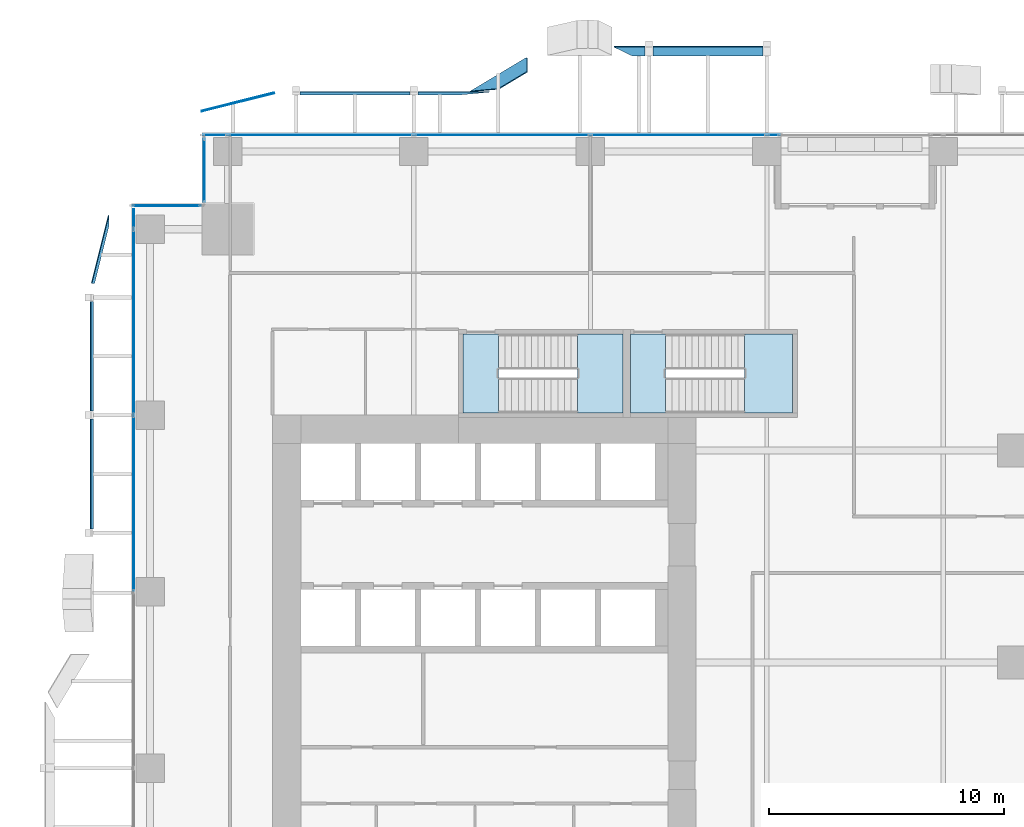
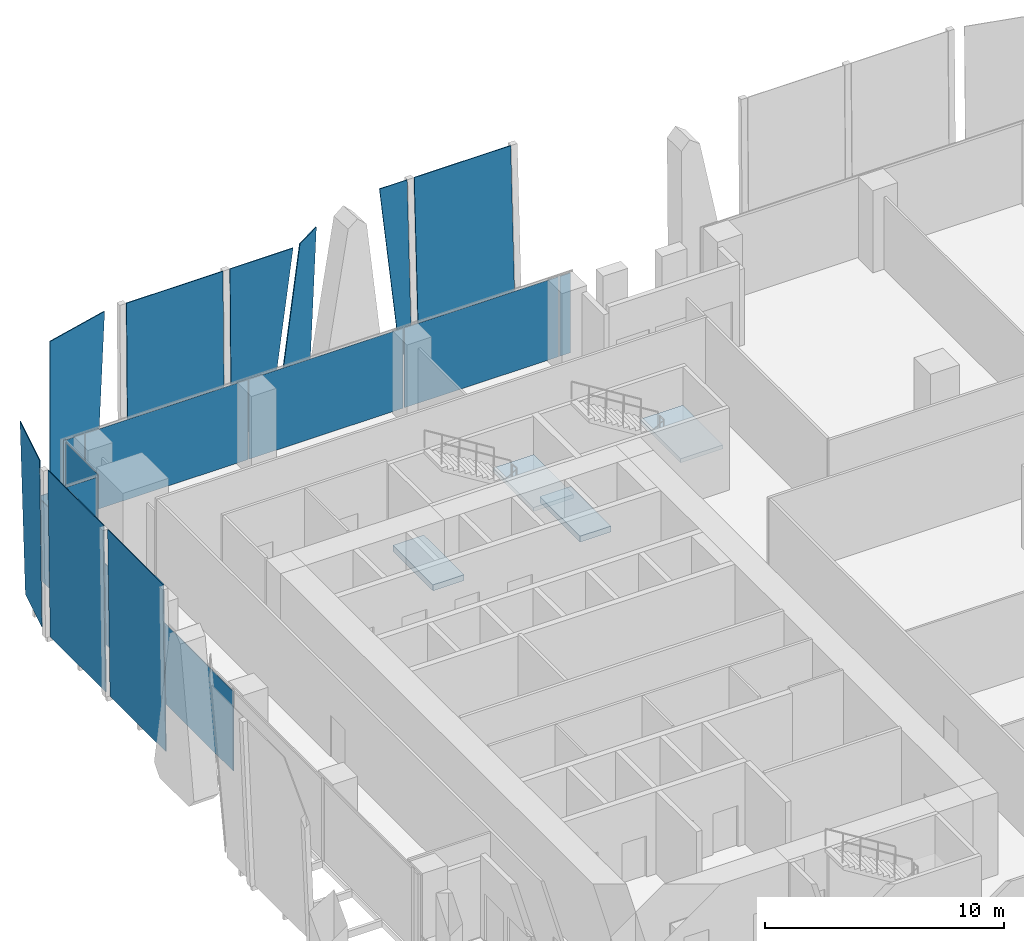
# One storey, part 25 of 35: 19 plates, 4 slabs, 6 elements without a shape of their own.
"""IFC4 building model written with IfcOpenShell, lengths in metres."""

from ifc_helpers import new_model, si_unit, direction, frame, origin, origin_2d, place, context, subcontext, project, spatial, polyline, rectangle, outline, extrude, source, transform, mapped, material, layer, layer_set, type_object, element, aggregate, save


model = new_model("IFC4")

# Units and contexts
model_context = context("Model", 3, precision=1e-05, world=origin(), true_north=direction((0.0, 1.0)))
body_context = subcontext(model_context, "Body", "Model", "MODEL_VIEW")
ifc_project = project(units=[si_unit("LENGTHUNIT", "METRE"), si_unit("AREAUNIT", "SQUARE_METRE"), si_unit("VOLUMEUNIT", "CUBIC_METRE"), si_unit("PLANEANGLEUNIT", "RADIAN"), si_unit("MASSUNIT", "GRAM", prefix="KILO")], contexts=[model_context])

# Site, building, storey
site_placement = place(None, origin())
site = spatial("IfcSite", under=ifc_project, at=site_placement, CompositionType="ELEMENT")
building_placement = place(site_placement, origin())
building = spatial("IfcBuilding", under=site, at=building_placement, Name="Khomas Fold Tower", CompositionType="ELEMENT")
storey_placement = place(building_placement, frame((0.0, 0.0, 87.0)))
storey = spatial("IfcBuildingStorey", under=building, at=storey_placement, Name="L18", CompositionType="ELEMENT", Elevation=87.0)

# Plates
ifc_material_1 = material(Name="Clear laminated glass", Category="glass")
ifc_layer_1 = layer(ifc_material_1, 0.0400390625)
ifc_layer_set_1 = layer_set([ifc_layer_1], Name="Clear laminated glass")
plate_type_1 = type_object("IfcPlateType", Name="SK-Clear laminated glass leaf", PredefinedType="SHEET", material=ifc_layer_set_1)
plate_1_placement = place(storey_placement, frame((6.077392578125, 55.71044921875, 8.550048828125), z_axis=(-0.242525890305, 0.970144933771, 3.190864e-06), x_axis=(-0.052490685981, -0.013118827627, -0.998535239362)))
element("IfcPlate", 1, at=plate_1_placement, inside=storey, type_object=plate_type_1, Name="OUTER SKIN glass L18 NG098-1", PredefinedType="SHEET", context=body_context, shape_type="SweptSolid", body=[
    extrude(outline(polyline([(0.0, 0.0), (8.56259097443413, 5.551115123125783e-17), (8.709696278330705, 2.7148915955346533), (0.1721712251855478, 3.1774939404229476), (0.0, 0.0)])), origin(), (0.0, 0.0, -1.0), 0.0400390625),
])
plate_2_placement = place(storey_placement, frame((7.169921875, 55.609375, 0.0), z_axis=(0.0, -0.999913371991, 0.013162390123), x_axis=(0.0, 0.013162390123, 0.999913371991)))
element("IfcPlate", 2, at=plate_2_placement, inside=storey, type_object=plate_type_1, Name="OUTER SKIN glass L18 NG099-3", PredefinedType="SHEET", context=body_context, shape_type="SweptSolid", body=[
    extrude(outline(polyline([(0.0, 0.0), (8.550789566001143, 0.0), (8.550789566001143, -4.660156250000001), (0.0, -4.660156250000001), (0.0, 0.0)])), origin(), (0.0, 0.0, -1.0), 0.0400390625),
])
plate_3_placement = place(storey_placement, frame((14.010986328125, 55.609375, 0.0), z_axis=(0.0, -0.999913371991, 0.013162390123), x_axis=(-1.0, 0.0, 0.0)))
element("IfcPlate", 3, at=plate_3_placement, inside=storey, type_object=plate_type_1, Name="OUTER SKIN glass L18 NG100-5", PredefinedType="SHEET", context=body_context, shape_type="SweptSolid", body=[
    extrude(outline(polyline([(0.0, 0.0), (1.841064453125, 0.0), (1.841064453125, -8.550789566001143), (-1.205322265625, -8.550789566001143), (0.0, 0.0)])), origin(), (0.0, 0.0, -1.0), 0.0400390625),
])
plate_4_placement = place(storey_placement, frame((16.747802734375, 57.177001953125, 0.00244140625), z_axis=(-0.513536895907, 0.855884644141, 0.061166432513), x_axis=(-0.857490235414, -0.514500239231, -3.20438e-07)))
element("IfcPlate", 4, at=plate_4_placement, inside=storey, type_object=plate_type_1, Name="OUTER SKIN glass L18 NG100-6", PredefinedType="SHEET", context=body_context, shape_type="SweptSolid", body=[
    extrude(outline(polyline([(0.0, 0.0), (2.744647278590691, 1.3877787807814457e-17), (1.6531023287428859, 8.566088213907655), (0.24234223896935114, 8.566088213907655), (-0.06025060168227141, 0.32140122822740574), (0.0, 0.0)])), origin(), (0.0, 0.0, -1.0), 0.0400390625),
])
plate_5_placement = place(storey_placement, frame((21.275390625, 57.264892578125, 0.0), z_axis=(0.0, -0.999042057933, 0.043760329998), x_axis=(-0.090401057218, 0.043581150777, 0.994951422006)))
element("IfcPlate", 5, at=plate_5_placement, inside=storey, type_object=plate_type_1, Name="OUTER SKIN glass L18 NG101-7", PredefinedType="SHEET", context=body_context, shape_type="SweptSolid", body=[
    extrude(outline(polyline([(0.0, 0.0), (8.593433447122841, -1.1102230246251565e-16), (8.473060555017023, -1.3260908884664144), (-0.050144336425452726, -0.5524162997058477), (0.0, 0.0)])), origin(), (0.0, 0.0, -1.0), 0.0400390625),
])
plate_6_placement = place(storey_placement, frame((22.169921875, 57.264892578125, 0.0), z_axis=(0.0, -0.999042057933, 0.043760329998), x_axis=(0.0, 0.043760329998, 0.999042057933)))
element("IfcPlate", 6, at=plate_6_placement, inside=storey, type_object=plate_type_1, Name="OUTER SKIN glass L18 NG102-9", PredefinedType="SHEET", context=body_context, shape_type="SweptSolid", body=[
    extrude(outline(polyline([(0.0, 0.0), (8.558247133075952, 0.0), (8.558247133075952, -4.66015625), (0.0, -4.66015625), (0.0, 0.0)])), origin(), (0.0, 0.0, -1.0), 0.0400390625),
])
for number, where, z_axis, x_axis, name in (
    (7, (-1.721923828125, 41.830078125, 8.550048828125), (0.999913371991, 0.0, 0.013162390123), (0.013162390123, 0.0, -0.999913371991), "OUTER SKIN glass L18 WG105-11"),
    (8, (-1.721923828125, 46.830078125, 8.550048828125), (0.999913371991, 0.0, 0.013162390123), (0.013162390123, 0.0, -0.999913371991), "OUTER SKIN glass L18 WG106-13"),
):
    element("IfcPlate", number, at=place(storey_placement, frame(where, z_axis=z_axis, x_axis=x_axis)), inside=storey, type_object=plate_type_1, Name=name, PredefinedType="SHEET", context=body_context, shape_type="SweptSolid", body=[
        extrude(outline(polyline([(0.0, 0.0), (8.550789566001143, 0.0), (8.550789566001143, -4.660156250000001), (0.0, -4.660156250000001), (0.0, 0.0)])), origin(), (0.0, 0.0, -1.0), 0.0400390625),
    ])
plate_7_placement = place(storey_placement, frame((-1.671875, 47.60009765625, 8.550048828125), z_axis=(0.970045361566, -0.24258917887, 0.01274703099), x_axis=(0.242608887547, 0.970124181578, 2.01736e-07)))
element("IfcPlate", 9, at=plate_7_placement, inside=storey, type_object=plate_type_1, Name="OUTER SKIN glass L18 WG107-15", PredefinedType="SHEET", context=body_context, shape_type="SweptSolid", body=[
    extrude(outline(polyline([(0.0, 0.0), (2.975857648349877, 0.0), (2.539821104582778, -8.550744060235475), (0.027244390451030956, -8.550742952932632), (0.0, 0.0)])), origin(), (0.0, 0.0, -1.0), 0.0400390625),
])

# Curtain wall, plate
ifc_material_2 = material(Name="Aluminium framed double glazing", Category="aluminium")
curtain_wall_type = type_object("IfcCurtainWallType", Name="SK-Unitised clear-glass wall, growing floors CW1", PredefinedType="NOTDEFINED", material=ifc_material_2)
curtain_wall_1_placement = place(storey_placement, origin())
curtain_wall_1 = element("IfcCurtainWall", 10, at=curtain_wall_1_placement, inside=storey, type_object=curtain_wall_type, Name="CW1 run L18 09-0", PredefinedType="NOTDEFINED")
ifc_material_3 = material(Name="Clear double glazed unit")
ifc_layer_2 = layer(ifc_material_3, 0.031982421875)
ifc_layer_set_2 = layer_set([ifc_layer_2], Name="Clear double glazed unit")
plate_type_2 = type_object("IfcPlateType", Name="SK-Unitised clear-glass wall, growing floors glass panel CW1-P", PredefinedType="CURTAIN_PANEL", material=ifc_layer_set_2)
shared_shape_1 = source(origin(), body_context, "Body", "SweptSolid", [
    extrude(rectangle(XDim=0.81005859375, YDim=0.031982421875, at=origin_2d()), origin(), (0.0, 0.0, 1.0), 4.080078125),
])
plate_8_placement = place(storey_placement, frame((0.10009765625, 50.3349609375, 0.0), z_axis=(0.0, 0.0, 1.0), x_axis=(0.0, -1.0, 0.0)))
plate_8 = element("IfcPlate", 11, at=plate_8_placement, type_object=plate_type_2, Name="CW1 glass panel 1", PredefinedType="CURTAIN_PANEL", context=body_context, shape_type="MappedRepresentation", body=[
    mapped(shared_shape_1, transform((0.0, 0.0, 0.0))),
])

curtain_wall_2_placement = place(storey_placement, origin())
curtain_wall_2 = element("IfcCurtainWall", 12, at=curtain_wall_2_placement, inside=storey, type_object=curtain_wall_type, Name="CW1 run L18 06-1", PredefinedType="NOTDEFINED")
shared_shape_2 = source(origin(), body_context, "Body", "SweptSolid", [
    extrude(rectangle(XDim=7.840087890625, YDim=0.031982421875, at=origin_2d()), origin(), (0.0, 0.0, 1.0), 4.080078125),
])
plate_9_placement = place(storey_placement, frame((8.050048828125, 53.89990234375, 0.0), z_axis=(0.0, 0.0, 1.0), x_axis=(-1.0, 0.0, 0.0)))
plate_9 = element("IfcPlate", 13, at=plate_9_placement, type_object=plate_type_2, Name="CW1 glass panel 4", PredefinedType="CURTAIN_PANEL", context=body_context, shape_type="MappedRepresentation", body=[
    mapped(shared_shape_2, transform((0.0, 0.0, 0.0))),
])

# Plate
plate_10_placement = place(storey_placement, frame((0.10009765625, 45.949951171875, 0.0), z_axis=(0.0, 0.0, 1.0), x_axis=(0.0, -1.0, 0.0)))
plate_10 = element("IfcPlate", 14, at=plate_10_placement, type_object=plate_type_2, Name="CW1 glass panel 2", PredefinedType="CURTAIN_PANEL", context=body_context, shape_type="MappedRepresentation", body=[
    mapped(shared_shape_2, transform((0.0, 0.0, 0.0))),
])

shared_shape_3 = source(origin(), body_context, "Body", "SweptSolid", [
    extrude(rectangle(XDim=7.43994140625, YDim=0.031982421875, at=origin_2d()), origin(), (0.0, 0.0, 1.0), 4.080078125),
])
plate_11_placement = place(storey_placement, frame((23.25, 53.89990234375, 0.0), z_axis=(0.0, 0.0, 1.0), x_axis=(-1.0, 0.0, 0.0)))
plate_11 = element("IfcPlate", 15, at=plate_11_placement, type_object=plate_type_2, Name="CW1 glass panel 2", PredefinedType="CURTAIN_PANEL", context=body_context, shape_type="MappedRepresentation", body=[
    mapped(shared_shape_3, transform((0.0, 0.0, 0.0))),
])

plate_12_placement = place(storey_placement, frame((15.75, 53.89990234375, 0.0), z_axis=(0.0, 0.0, 1.0), x_axis=(-1.0, 0.0, 0.0)))
plate_12 = element("IfcPlate", 16, at=plate_12_placement, type_object=plate_type_2, Name="CW1 glass panel 3", PredefinedType="CURTAIN_PANEL", context=body_context, shape_type="MappedRepresentation", body=[
    mapped(shared_shape_3, transform((0.0, 0.0, 0.0))),
])

plate_13_placement = place(storey_placement, frame((0.10009765625, 38.25, 0.0), z_axis=(0.0, 0.0, 1.0), x_axis=(0.0, -1.0, 0.0)))
plate_13 = element("IfcPlate", 17, at=plate_13_placement, type_object=plate_type_2, Name="CW1 glass panel 3", PredefinedType="CURTAIN_PANEL", context=body_context, shape_type="MappedRepresentation", body=[
    mapped(shared_shape_3, transform((0.0, 0.0, 0.0))),
])

aggregate(curtain_wall_1, [plate_8, plate_10, plate_13])

shared_shape_4 = source(origin(), body_context, "Body", "SweptSolid", [
    extrude(rectangle(XDim=1.010009765625, YDim=0.031982421875, at=origin_2d()), origin(), (0.0, 0.0, 1.0), 4.080078125),
])
plate_14_placement = place(storey_placement, frame((3.56494140625, 53.89990234375, 0.0), z_axis=(0.0, 0.0, 1.0), x_axis=(-1.0, 0.0, 0.0)))
plate_14 = element("IfcPlate", 18, at=plate_14_placement, type_object=plate_type_2, Name="CW1 glass panel 5", PredefinedType="CURTAIN_PANEL", context=body_context, shape_type="MappedRepresentation", body=[
    mapped(shared_shape_4, transform((0.0, 0.0, 0.0))),
])

# Curtain wall, plate
curtain_wall_3_placement = place(storey_placement, origin())
curtain_wall_3 = element("IfcCurtainWall", 19, at=curtain_wall_3_placement, inside=storey, type_object=curtain_wall_type, Name="CW1 corner return L18 07", PredefinedType="NOTDEFINED")
shared_shape_5 = source(origin(), body_context, "Body", "SweptSolid", [
    extrude(rectangle(XDim=2.679931640625, YDim=0.031982421875, at=origin_2d()), origin(), (0.0, 0.0, 1.0), 4.080078125),
])
plate_15_placement = place(storey_placement, frame((3.10009765625, 52.39990234375, 0.0), z_axis=(0.0, 0.0, 1.0), x_axis=(0.0, -1.0, 0.0)))
plate_15 = element("IfcPlate", 20, at=plate_15_placement, type_object=plate_type_2, Name="CW1 glass panel 1", PredefinedType="CURTAIN_PANEL", context=body_context, shape_type="MappedRepresentation", body=[
    mapped(shared_shape_5, transform((0.0, 0.0, 0.0))),
])
aggregate(curtain_wall_3, [plate_15])

curtain_wall_4_placement = place(storey_placement, origin())
curtain_wall_4 = element("IfcCurtainWall", 21, at=curtain_wall_4_placement, inside=storey, type_object=curtain_wall_type, Name="CW1 corner return L18 08", PredefinedType="NOTDEFINED")
shared_shape_6 = source(origin(), body_context, "Body", "SweptSolid", [
    extrude(rectangle(XDim=2.8798828125, YDim=0.031982421875, at=origin_2d()), origin(), (0.0, 0.0, 1.0), 4.080078125),
])
plate_16_placement = place(storey_placement, frame((1.5, 50.89990234375, 0.0), z_axis=(0.0, 0.0, 1.0), x_axis=(-1.0, 0.0, 0.0)))
plate_16 = element("IfcPlate", 22, at=plate_16_placement, type_object=plate_type_2, Name="CW1 glass panel 1", PredefinedType="CURTAIN_PANEL", context=body_context, shape_type="MappedRepresentation", body=[
    mapped(shared_shape_6, transform((0.0, 0.0, 0.0))),
])
aggregate(curtain_wall_4, [plate_16])

# Plate
shared_shape_7 = source(origin(), body_context, "Body", "SweptSolid", [
    extrude(rectangle(XDim=0.510009765625, YDim=0.031982421875, at=origin_2d()), origin(), (0.0, 0.0, 1.0), 4.080078125),
])
plate_17_placement = place(storey_placement, frame((27.284912109375, 53.89990234375, 0.0), z_axis=(0.0, 0.0, 1.0), x_axis=(-1.0, 0.0, 0.0)))
plate_17 = element("IfcPlate", 23, at=plate_17_placement, type_object=plate_type_2, Name="CW1 glass panel 1", PredefinedType="CURTAIN_PANEL", context=body_context, shape_type="MappedRepresentation", body=[
    mapped(shared_shape_7, transform((0.0, 0.0, 0.0))),
])

aggregate(curtain_wall_2, [plate_17, plate_11, plate_12, plate_9, plate_14])

# Stair, slab
ifc_material_4 = material(Name="Concrete C40/50", Category="concrete")
stair_type_1 = type_object("IfcStairType", Name="Stair ST1", PredefinedType="HALF_TURN_STAIR", material=ifc_material_4)
stair_1_placement = place(storey_placement, origin())
stair_1 = element("IfcStair", 24, at=stair_1_placement, inside=storey, type_object=stair_type_1, Name="L18 ST1", PredefinedType="HALF_TURN_STAIR")
ifc_material_5 = material(Name="Concrete C40/50", Category="concrete")
ifc_layer_3 = layer(ifc_material_5, 0.199951171875)
ifc_layer_set_3 = layer_set([ifc_layer_3], Name="Concrete C40/50")
slab_type_1 = type_object("IfcSlabType", Name="Stair landing 200", PredefinedType="LANDING", material=ifc_layer_set_3)
shared_shape_8 = source(origin(), body_context, "Body", "SweptSolid", [
    extrude(outline(polyline([(18.9599609375, 42.10009765625), (20.89990234375, 42.10009765625), (20.89990234375, 45.449951171875), (18.9599609375, 45.449951171875), (18.9599609375, 42.10009765625)])), origin(), (0.0, 0.0, 1.0), 0.199951171875),
])
slab_1_placement = place(storey_placement, frame((0.0, 0.0, 2.050048828125)))
slab_1 = element("IfcSlab", 25, at=slab_1_placement, type_object=slab_type_1, Name="ST1 landing 1", PredefinedType="LANDING", context=body_context, shape_type="MappedRepresentation", body=[
    mapped(shared_shape_8, transform((0.0, 0.0, 0.0))),
])
aggregate(stair_1, [slab_1])

# Slab
ifc_material_6 = material(Name="Concrete C40/50", Category="concrete")
ifc_layer_4 = layer(ifc_material_6, 0.300048828125)
ifc_layer_set_4 = layer_set([ifc_layer_4], Name="Concrete C40/50")
slab_type_2 = type_object("IfcSlabType", Name="Stair floor landing 300", PredefinedType="LANDING", material=ifc_layer_set_4)
shared_shape_9 = source(origin(), body_context, "Body", "SweptSolid", [
    extrude(outline(polyline([(15.60009765625, 42.10009765625), (14.10009765625, 42.10009765625), (14.10009765625, 45.449951171875), (15.60009765625, 45.449951171875), (15.60009765625, 42.10009765625)])), origin(), (0.0, 0.0, 1.0), 0.300048828125),
])
slab_2_placement = place(storey_placement, frame((0.0, 0.0, -0.300048828125)))
element("IfcSlab", 26, at=slab_2_placement, inside=storey, type_object=slab_type_2, Name="ST1 floor landing", PredefinedType="LANDING", context=body_context, shape_type="MappedRepresentation", body=[
    mapped(shared_shape_9, transform((0.0, 0.0, 0.0))),
])

# Stair, slab
ifc_material_7 = material(Name="Concrete C40/50", Category="concrete")
stair_type_2 = type_object("IfcStairType", Name="Stair ST3", PredefinedType="HALF_TURN_STAIR", material=ifc_material_7)
stair_2_placement = place(storey_placement, origin())
stair_2 = element("IfcStair", 27, at=stair_2_placement, inside=storey, type_object=stair_type_2, Name="L18 ST3", PredefinedType="HALF_TURN_STAIR")
shared_shape_10 = source(origin(), body_context, "Body", "SweptSolid", [
    extrude(outline(polyline([(26.06005859375, 42.10009765625), (28.10009765625, 42.10009765625), (28.10009765625, 45.449951171875), (26.06005859375, 45.449951171875), (26.06005859375, 42.10009765625)])), origin(), (0.0, 0.0, 1.0), 0.199951171875),
])
slab_3_placement = place(storey_placement, frame((0.0, 0.0, 2.050048828125)))
slab_3 = element("IfcSlab", 28, at=slab_3_placement, type_object=slab_type_1, Name="ST3 landing 1", PredefinedType="LANDING", context=body_context, shape_type="MappedRepresentation", body=[
    mapped(shared_shape_10, transform((0.0, 0.0, 0.0))),
])
aggregate(stair_2, [slab_3])

# Slab
shared_shape_11 = source(origin(), body_context, "Body", "SweptSolid", [
    extrude(outline(polyline([(22.699951171875, 42.10009765625), (21.199951171875, 42.10009765625), (21.199951171875, 45.449951171875), (22.699951171875, 45.449951171875), (22.699951171875, 42.10009765625)])), origin(), (0.0, 0.0, 1.0), 0.300048828125),
])
slab_4_placement = place(storey_placement, frame((0.0, 0.0, -0.300048828125)))
element("IfcSlab", 29, at=slab_4_placement, inside=storey, type_object=slab_type_2, Name="ST3 floor landing", PredefinedType="LANDING", context=body_context, shape_type="MappedRepresentation", body=[
    mapped(shared_shape_11, transform((0.0, 0.0, 0.0))),
])

save(model, "model.ifc")
